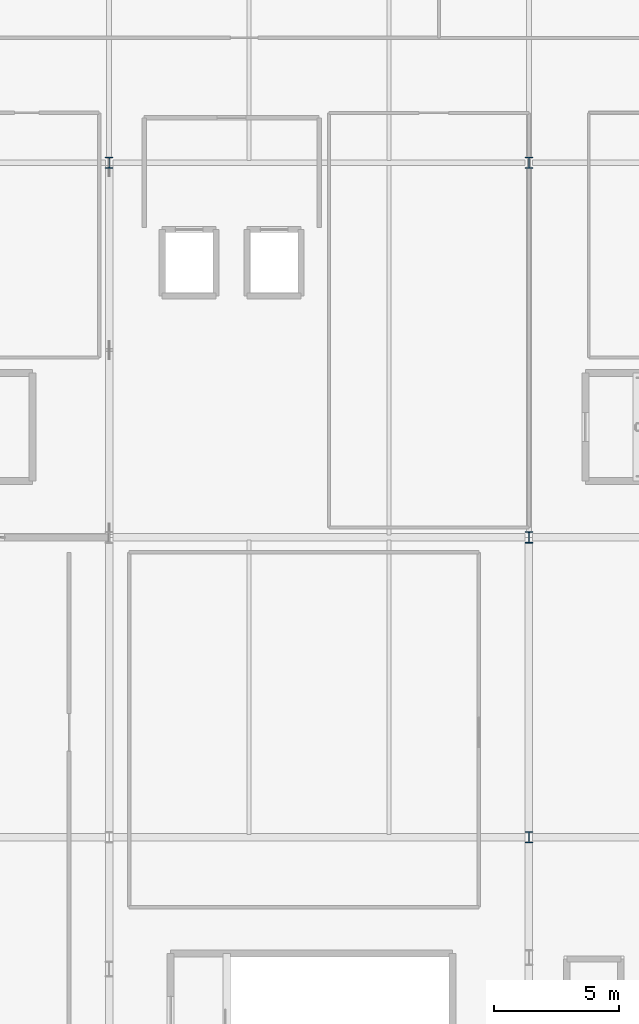
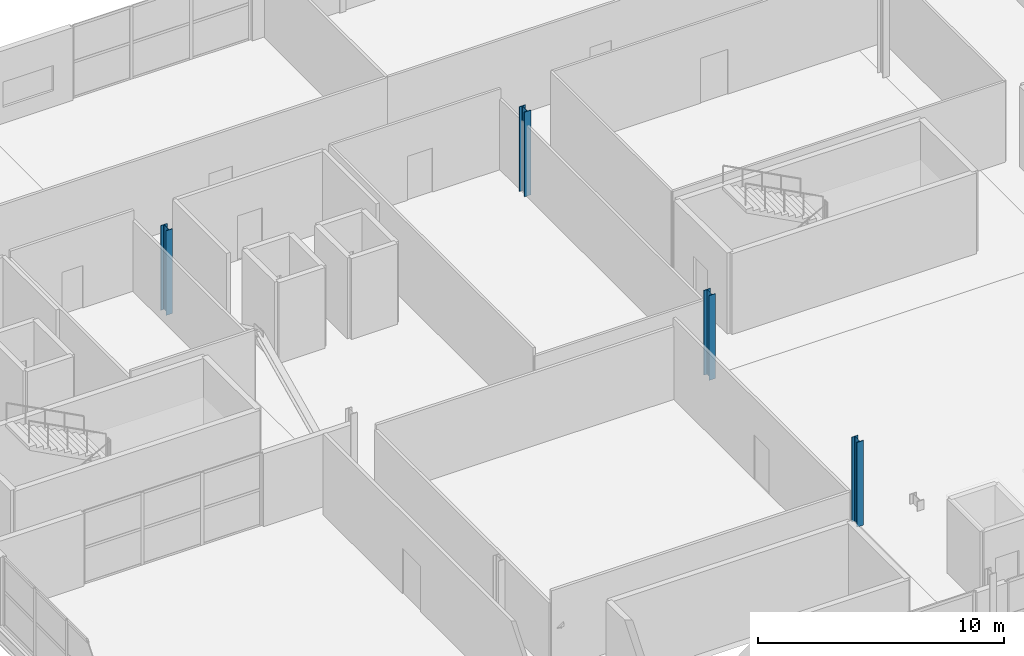
# One storey, part 4 of 39: 4 columns.
"""IFC4 building model written with IfcOpenShell, lengths in metres."""

from ifc_helpers import new_model, si_unit, direction, frame, origin, origin_2d, place, context, subcontext, project, spatial, i_section, extrude, material, material_profile, profile_set, type_object, element, save


model = new_model("IFC4")

# Units and contexts
model_context = context("Model", 3, precision=1e-05, world=origin(), true_north=direction((0.0, 1.0)))
body_context = subcontext(model_context, "Body", "Model", "MODEL_VIEW")
ifc_project = project(units=[si_unit("LENGTHUNIT", "METRE"), si_unit("AREAUNIT", "SQUARE_METRE"), si_unit("VOLUMEUNIT", "CUBIC_METRE"), si_unit("PLANEANGLEUNIT", "RADIAN"), si_unit("MASSUNIT", "GRAM", prefix="KILO")], contexts=[model_context])

# Site, building, storey
site_placement = place(None, origin())
site = spatial("IfcSite", under=ifc_project, at=site_placement, CompositionType="ELEMENT")
building_placement = place(site_placement, origin())
building = spatial("IfcBuilding", under=site, at=building_placement, Name="Kimbaza Rail Terminus", CompositionType="ELEMENT")
storey_placement = place(building_placement, frame((0.0, 0.0, 16.800048828125)))
storey = spatial("IfcBuildingStorey", under=building, at=storey_placement, Name="L03", CompositionType="ELEMENT", Elevation=16.800048828125)

# Columns
ifc_material = material(Name="Steel S355", Category="steel")
ifc_material_profile = material_profile(ifc_material, i_section(OverallWidth=0.300048828125, OverallDepth=0.449951171875, WebThickness=0.013916015625, FlangeThickness=0.02587890625, FilletRadius=0.027099609375, at=origin_2d()), Name="HEB 450")
ifc_profile_set = profile_set([ifc_material_profile], Name="Steel S355")
column_type = type_object("IfcColumnType", Name="STR-COL-HEB450", PredefinedType="COLUMN", material=ifc_profile_set)
for number, where, z_axis, x_axis, name in (
    (1, (88.800048828125, 118.0, 0.0), (0.0, 0.0, 1.0), (1.0, 0.0, 0.0), "Operations Column L03 (2,1)"),
    (2, (105.60009765625, 103.0, 0.0), (0.0, 0.0, 1.0), (1.0, 0.0, 0.0), "Operations Column L03 (3,0)"),
    (3, (105.60009765625, 118.0, 0.0), (0.0, 0.0, 1.0), (1.0, 0.0, 0.0), "Operations Column L03 (3,1)"),
    (4, (105.60009765625, 91.0, 0.0), (0.0, 0.0, 1.0), (1.0, 0.0, 0.0), "North Transfer Pier L03 (3,1)"),
):
    element("IfcColumn", number, at=place(storey_placement, frame(where, z_axis=z_axis, x_axis=x_axis)), inside=storey, type_object=column_type, Name=name, PredefinedType="COLUMN", context=body_context, shape_type="SweptSolid", body=[
        extrude(i_section(OverallWidth=0.300048828125, OverallDepth=0.449951171875, WebThickness=0.013916015625, FlangeThickness=0.02587890625, FilletRadius=0.027099609375, at=origin_2d()), origin(), (0.0, 0.0, 1.0), 4.199951171875),
    ])

save(model, "model.ifc")
